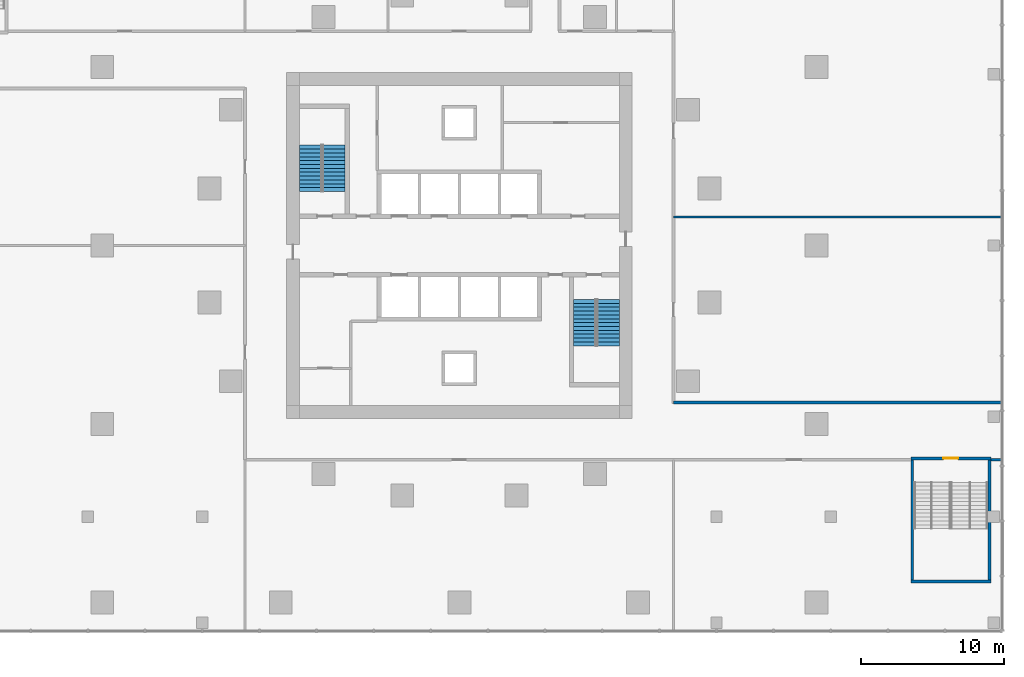
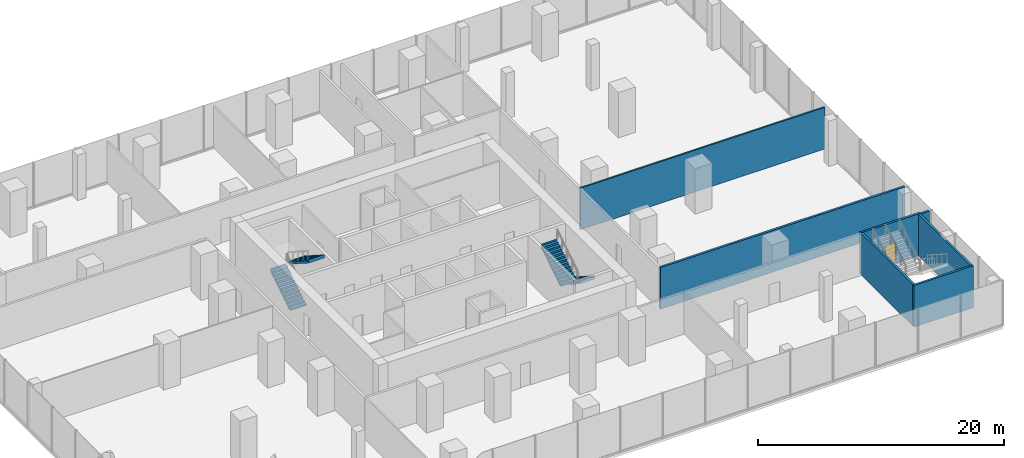
# One storey, part 12 of 15: 7 walls, 4 stair flights, 1 door, 1 opening, 2 elements without a shape of their own.
"""IFC4 building model written with IfcOpenShell, lengths in metres."""

import ifcopenshell
import ifcopenshell.guid

model = None  # the IFC model being written
_history = None  # IfcOwnerHistory: only IFC2X3 demands one
_inside = {}  # id of a spatial element -> (the spatial element, [elements in it])
_under = {}  # id of a project, library or spatial element -> (it, [spatial elements below it])
_declared = {}  # id of a project -> (the project, [libraries it declares])
_typed = {}  # id of a type object -> (the type object, [elements of that type])
_made_of = {}  # id of a material, layer set ... -> (it, [elements and type objects made of it])


def new_model(schema):
    """Start an empty IFC model of exactly this schema.

    Asked for "IFC4X3", IfcOpenShell would pick the latest addendum, in which some entities
    have other attributes; the version numbers below select the first issue.
    IFC2X3 requires an IfcOwnerHistory on every rooted entity: one is made here for all.
    """
    global model, _history
    if schema == "IFC4X3":
        model = ifcopenshell.file(schema_version=(4, 3, 0, 0))
    else:
        model = ifcopenshell.file(schema=schema)
    _inside.clear()
    _under.clear()
    _declared.clear()
    _typed.clear()
    _made_of.clear()
    _history = None
    if model.schema == "IFC2X3":
        org = make("IfcOrganization", Name="unknown")
        user = make(
            "IfcPersonAndOrganization",
            ThePerson=make("IfcPerson", FamilyName="unknown"),
            TheOrganization=org,
        )
        app = make(
            "IfcApplication",
            ApplicationDeveloper=org,
            Version="unknown",
            ApplicationFullName="unknown",
            ApplicationIdentifier="unknown",
        )
        _history = make(
            "IfcOwnerHistory",
            OwningUser=user,
            OwningApplication=app,
            ChangeAction="ADDED",
            CreationDate=0,
        )
    return model


def make(cls, **values):
    """One entity of the class cls with the attributes given. An attribute that is None is left unset."""
    return model.create_entity(
        cls, **{name: value for name, value in values.items() if value is not None}
    )


def rooted(cls, **values):
    """An entity with a GlobalId (a new one), such as an element, a storey or a relation."""
    return make(cls, GlobalId=ifcopenshell.guid.new(), OwnerHistory=_history, **values)


def si_unit(unit_type, name, prefix=None):
    """IfcSIUnit, for example si_unit("LENGTHUNIT", "METRE", prefix="MILLI")."""
    return make("IfcSIUnit", UnitType=unit_type, Prefix=prefix, Name=name)


def assignment(units):
    """IfcUnitAssignment: the units of a project."""
    return None if units is None else make("IfcUnitAssignment", Units=units)


def point(xyz):
    """IfcCartesianPoint."""
    return None if xyz is None else make("IfcCartesianPoint", Coordinates=xyz)


def direction(xyz):
    """IfcDirection."""
    return None if xyz is None else make("IfcDirection", DirectionRatios=xyz)


def frame(location, z_axis=None, x_axis=None):
    """IfcAxis2Placement3D, a coordinate frame: its origin and axes. An axis left out is left unset."""
    return make(
        "IfcAxis2Placement3D",
        Location=point(location),
        Axis=direction(z_axis),
        RefDirection=direction(x_axis),
    )


def frame_2d(location, x_axis=None):
    """IfcAxis2Placement2D, a coordinate frame in the plane: its origin and x axis."""
    return make(
        "IfcAxis2Placement2D", Location=point(location), RefDirection=direction(x_axis)
    )


def origin():
    """The frame at (0, 0, 0) with its axes left unset."""
    return frame((0.0, 0.0, 0.0))


def place(relative_to, where):
    """IfcLocalPlacement: puts the frame where relative to a parent placement (None: the world)."""
    return make(
        "IfcLocalPlacement", PlacementRelTo=relative_to, RelativePlacement=where
    )


def context(
    kind, dimensions, precision=None, world=None, true_north=None, identifier=None
):
    """IfcGeometricRepresentationContext, for example the 3D "Model" context."""
    return make(
        "IfcGeometricRepresentationContext",
        ContextIdentifier=identifier,
        ContextType=kind,
        CoordinateSpaceDimension=dimensions,
        Precision=precision,
        WorldCoordinateSystem=world,
        TrueNorth=true_north,
    )


def subcontext(parent, identifier, kind, view, scale=None):
    """IfcGeometricRepresentationSubContext, for example "Body" below "Model"."""
    return make(
        "IfcGeometricRepresentationSubContext",
        ContextIdentifier=identifier,
        ContextType=kind,
        ParentContext=parent,
        TargetScale=scale,
        TargetView=view,
    )


def project(units=None, contexts=None):
    """IfcProject with its units and contexts."""
    return rooted(
        "IfcProject",
        Name="project",
        RepresentationContexts=contexts,
        UnitsInContext=assignment(units),
    )


def spatial(cls, under=None, at=None, **own):
    """A site, building, storey or space (cls), placed at a placement, below another one or the project."""
    s = rooted(cls, ObjectPlacement=at, **own)
    if under is not None:
        _under.setdefault(under.id(), (under, []))[1].append(s)
    return s


def polyline(points):
    """IfcPolyline through the points."""
    return make("IfcPolyline", Points=[point(p) for p in points])


def profile(cls, at=None, kind="AREA", **sizes):
    """A parametric profile (cls). Its sizes go by their IFC names, for example OverallWidth=200.0."""
    return make(cls, ProfileType=kind, Position=at, **sizes)


def rectangle(**sizes):
    """IfcRectangleProfileDef."""
    return profile("IfcRectangleProfileDef", **sizes)


def outline(outer, holes=None, kind="AREA"):
    """IfcArbitraryClosedProfileDef: a profile drawn as a closed curve; with holes, ...WithVoids."""
    if holes is None:
        return make("IfcArbitraryClosedProfileDef", ProfileType=kind, OuterCurve=outer)
    return make(
        "IfcArbitraryProfileDefWithVoids",
        ProfileType=kind,
        OuterCurve=outer,
        InnerCurves=holes,
    )


def extrude(swept, where, along, depth):
    """IfcExtrudedAreaSolid: the profile swept, set in the frame where, extruded along a direction by depth."""
    return make(
        "IfcExtrudedAreaSolid",
        SweptArea=swept,
        Position=where,
        ExtrudedDirection=direction(along),
        Depth=depth,
    )


def shape(context_of_items, identifier, shape_type, items):
    """IfcShapeRepresentation: the items that make up one representation, for example the "Body"."""
    return make(
        "IfcShapeRepresentation",
        ContextOfItems=context_of_items,
        RepresentationIdentifier=identifier,
        RepresentationType=shape_type,
        Items=items,
    )


def material(Name=None, Category=None):
    """IfcMaterial."""
    return make("IfcMaterial", Name=Name, Category=Category)


def layer(
    of_material, thickness, ventilated=None, Name=None, Category=None, Priority=None
):
    """IfcMaterialLayer: one layer of a wall or slab, of a material (None: an air gap)."""
    return make(
        "IfcMaterialLayer",
        Material=of_material,
        LayerThickness=thickness,
        IsVentilated=ventilated,
        Name=Name,
        Category=Category,
        Priority=Priority,
    )


def layer_set(layers, Name=None):
    """IfcMaterialLayerSet."""
    return make("IfcMaterialLayerSet", MaterialLayers=layers, LayerSetName=Name)


def made_of(thing, what):
    """Note that an element or type object is made of a material, layer set ...; save() writes the relation."""
    if what is not None:
        _made_of.setdefault(what.id(), (what, []))[1].append(thing)
    return thing


def type_object(cls, material=None, **own):
    """A type object (cls), such as IfcWallType, which elements share."""
    return made_of(rooted(cls, **own), material)


def element(
    cls,
    number,
    at=None,
    inside=None,
    cuts=None,
    type_object=None,
    material=None,
    context=None,
    identifier="Body",
    shape_type=None,
    held_by="IfcProductDefinitionShape",
    body=None,
    shapes=None,
    **own,
):
    """One element of the class cls, such as IfcWall. Its Tag is "e" and its number.

    at: its placement. inside: the storey or other place that contains it. cuts: it is an
    opening in that element (IfcRelVoidsElement). A single representation is given by context,
    identifier, shape_type and body (its items); several are given by shapes. held_by: the class
    of the entity that holds the representations. save() writes the other relations.
    """
    e = rooted(cls, Tag="e%d" % number, ObjectPlacement=at, **own)
    if body is not None:
        shapes = [shape(context, identifier, shape_type, body)]
    if shapes is not None:
        e.Representation = make(held_by, Representations=shapes)
    if inside is not None:
        _inside.setdefault(inside.id(), (inside, []))[1].append(e)
    if cuts is not None:
        rooted(
            "IfcRelVoidsElement", RelatingBuildingElement=cuts, RelatedOpeningElement=e
        )
    if type_object is not None:
        _typed.setdefault(type_object.id(), (type_object, []))[1].append(e)
    return made_of(e, material)


def fill(opening, filler):
    """IfcRelFillsElement: the door or window that sits in an opening."""
    return rooted(
        "IfcRelFillsElement",
        RelatingOpeningElement=opening,
        RelatedBuildingElement=filler,
    )


def aggregate(whole, parts):
    """IfcRelAggregates: a whole, such as a stair, and the parts it consists of."""
    return rooted("IfcRelAggregates", RelatingObject=whole, RelatedObjects=parts)


def save(model, path):
    """Write the relations noted so far, then the file.

    IfcRelAggregates (storeys below a building ...), IfcRelContainedInSpatialStructure (elements
    in a storey), IfcRelDefinesByType, IfcRelAssociatesMaterial and IfcRelDeclares: one each for
    every whole, place, type object, material and project.
    """
    for whole, parts in _under.values():
        aggregate(whole, parts)
    for where, things in _inside.values():
        rooted(
            "IfcRelContainedInSpatialStructure",
            RelatedElements=things,
            RelatingStructure=where,
        )
    for kind, things in _typed.values():
        rooted("IfcRelDefinesByType", RelatedObjects=things, RelatingType=kind)
    for what, things in _made_of.values():
        rooted("IfcRelAssociatesMaterial", RelatedObjects=things, RelatingMaterial=what)
    for by, libraries in _declared.values():
        rooted("IfcRelDeclares", RelatingContext=by, RelatedDefinitions=libraries)
    model.write(path)


model = new_model("IFC4")

# Units and contexts
model_context = context("Model", 3, precision=1e-05, world=origin(), true_north=direction((0.0, 1.0)))
body_context = subcontext(model_context, "Body", "Model", "MODEL_VIEW")
ifc_project = project(units=[si_unit("LENGTHUNIT", "METRE"), si_unit("AREAUNIT", "SQUARE_METRE"), si_unit("VOLUMEUNIT", "CUBIC_METRE"), si_unit("PLANEANGLEUNIT", "RADIAN"), si_unit("MASSUNIT", "GRAM", prefix="KILO")], contexts=[model_context])

# Site, building, storey
site_placement = place(None, origin())
site = spatial("IfcSite", under=ifc_project, at=site_placement, CompositionType="ELEMENT")
building_placement = place(site_placement, origin())
building = spatial("IfcBuilding", under=site, at=building_placement, Name="Torsade Residences", CompositionType="ELEMENT")
storey_placement = place(building_placement, frame((0.0, 0.0, 6.0)))
storey = spatial("IfcBuildingStorey", under=building, at=storey_placement, Name="L01", CompositionType="ELEMENT", Elevation=6.0)

# Walls
ifc_material_1 = material(Name="Plasterboard on steel stud", Category="steel")
ifc_layer_1 = layer(ifc_material_1, 0.199951171875)
ifc_layer_set_1 = layer_set([ifc_layer_1], Name="Plasterboard on steel stud")
wall_type_1 = type_object("IfcWallType", Name="CORRIDOR WALL 200", PredefinedType="PARTITIONING", material=ifc_layer_set_1)
wall_1_placement = place(storey_placement, frame((78.0, 15.0, 0.0), z_axis=(0.0, 0.0, 1.0), x_axis=(-1.0, 0.0, 0.0)))
element("IfcWall", 1, at=wall_1_placement, inside=storey, type_object=wall_type_1, Name="Corridor wall L01", PredefinedType="PARTITIONING", context=body_context, shape_type="SweptSolid", body=[
    extrude(rectangle(XDim=0.800048828125, YDim=0.199951171875, at=frame_2d((0.39990234375, 0.0))), origin(), (0.0, 0.0, 1.0), 4.14990234375),
])
wall_2_placement = place(storey_placement, frame((55.0, 19.0, 0.0), z_axis=(0.0, 0.0, 1.0), x_axis=(1.0, 0.0, 0.0)))
element("IfcWall", 2, at=wall_2_placement, inside=storey, type_object=wall_type_1, Name="Corridor wall L01", PredefinedType="PARTITIONING", context=body_context, shape_type="SweptSolid", body=[
    extrude(rectangle(XDim=23.0, YDim=0.199951171875, at=frame_2d((11.5, 0.0))), origin(), (0.0, 0.0, 1.0), 4.14990234375),
])
ifc_material_2 = material(Name="Reinforced blockwork", Category="masonry")
ifc_layer_2 = layer(ifc_material_2, 0.199951171875)
ifc_layer_set_2 = layer_set([ifc_layer_2], Name="Reinforced blockwork")
wall_type_2 = type_object("IfcWallType", Name="PODIUM STAIR ENCLOSURE WALL 200", PredefinedType="SOLIDWALL", material=ifc_layer_set_2)
wall_3_placement = place(storey_placement, frame((71.60009765625, 6.47998046875, 0.0), z_axis=(0.0, 0.0, 1.0), x_axis=(1.0, 0.0, 0.0)))
element("IfcWall", 3, at=wall_3_placement, inside=storey, type_object=wall_type_2, Name="Stair enclosure wall L01", PredefinedType="SOLIDWALL", context=body_context, shape_type="SweptSolid", body=[
    extrude(rectangle(XDim=5.599853515625, YDim=0.199951171875, at=frame_2d((2.7998046875, 0.0))), origin(), (0.0, 0.0, 1.0), 4.14990234375),
])
wall_4_placement = place(storey_placement, frame((77.10009765625, 6.580078125, 0.0), z_axis=(0.0, 0.0, 1.0), x_axis=(0.0, 1.0, 0.0)))
element("IfcWall", 4, at=wall_4_placement, inside=storey, type_object=wall_type_2, Name="Stair enclosure wall L01", PredefinedType="SOLIDWALL", context=body_context, shape_type="SweptSolid", body=[
    extrude(rectangle(XDim=8.419921875, YDim=0.199951171875, at=frame_2d((4.2099609375, 0.0))), origin(), (0.0, 0.0, 1.0), 4.14990234375),
])

# Wall, opening, door
wall_5_placement = place(storey_placement, frame((77.199951171875, 15.10009765625, 0.0), z_axis=(0.0, 0.0, 1.0), x_axis=(-1.0, 0.0, 0.0)))
wall_5 = element("IfcWall", 5, at=wall_5_placement, inside=storey, type_object=wall_type_2, Name="Stair enclosure wall L01", PredefinedType="SOLIDWALL", context=body_context, shape_type="SweptSolid", body=[
    extrude(rectangle(XDim=5.599853515625, YDim=0.199951171875, at=frame_2d((2.7998046875, 0.0))), origin(), (0.0, 0.0, 1.0), 4.14990234375),
])
opening_placement = place(wall_5_placement, frame((2.2900390625, 0.0, 0.0)))
opening = element("IfcOpeningElement", 6, at=opening_placement, cuts=wall_5, Name="Opening D03", PredefinedType="OPENING", context=body_context, shape_type="SweptSolid", body=[
    extrude(rectangle(XDim=1.02001953125, YDim=2.10009765625, at=frame_2d((0.510009765625, 1.050048828125))), frame((0.0, 0.10986328125, 0.0), z_axis=(0.0, -1.0, 0.0), x_axis=(1.0, 0.0, 0.0)), (0.0, 0.0, 1.0), 0.219970703125),
])
ifc_material_3 = material(Name="Steel-framed fire door", Category="steel")
door_type = type_object("IfcDoorType", Name="FIRE DOOR 1020", OperationType="NOTDEFINED", PredefinedType="DOOR", material=ifc_material_3)
door_placement = place(opening_placement, origin())
door = element("IfcDoor", 7, at=door_placement, inside=storey, type_object=door_type, Name="Exit door to fire-isolated stair ST4 L01", OperationType="SINGLE_SWING_LEFT", OverallHeight=2.10009765625, OverallWidth=1.02001953125, PredefinedType="DOOR", context=body_context, shape_type="SweptSolid", body=[
    extrude(rectangle(XDim=1.02001953125, YDim=2.10009765625, at=frame_2d((0.510009765625, 1.050048828125))), frame((0.0, 0.02490234375, 0.0), z_axis=(0.0, -1.0, 0.0), x_axis=(1.0, 0.0, 0.0)), (0.0, 0.0, 1.0), 0.050048828125),
])
fill(opening, door)

# Walls
wall_6_placement = place(storey_placement, frame((71.699951171875, 15.0, 0.0), z_axis=(0.0, 0.0, 1.0), x_axis=(0.0, -1.0, 0.0)))
element("IfcWall", 8, at=wall_6_placement, inside=storey, type_object=wall_type_2, Name="Stair enclosure wall L01", PredefinedType="SOLIDWALL", context=body_context, shape_type="SweptSolid", body=[
    extrude(rectangle(XDim=8.419921875, YDim=0.199951171875, at=frame_2d((4.2099609375, 0.0))), origin(), (0.0, 0.0, 1.0), 4.14990234375),
])
ifc_material_4 = material(Name="Reinforced blockwork", Category="masonry")
ifc_layer_3 = layer(ifc_material_4, 0.14990234375)
ifc_layer_set_3 = layer_set([ifc_layer_3], Name="Reinforced blockwork")
wall_type_3 = type_object("IfcWallType", Name="SERVICE ROOM WALL 150", PredefinedType="SOLIDWALL", material=ifc_layer_set_3)
wall_7_placement = place(storey_placement, frame((55.0, 32.0, 0.0), z_axis=(0.0, 0.0, 1.0), x_axis=(1.0, 0.0, 0.0)))
element("IfcWall", 9, at=wall_7_placement, inside=storey, type_object=wall_type_3, Name="Service room wall L01", PredefinedType="SOLIDWALL", context=body_context, shape_type="SweptSolid", body=[
    extrude(rectangle(XDim=23.0, YDim=0.14990234375, at=frame_2d((11.5, 0.0))), origin(), (0.0, 0.0, 1.0), 4.14990234375),
])

# Stair, stair flights
ifc_material_5 = material(Name="Precast concrete 40 MPa", Category="concrete")
stair_type = type_object("IfcStairType", Name="HALF-TURN FIRE STAIR 1500x4500", PredefinedType="HALF_TURN_STAIR", material=ifc_material_5)
stair_1_placement = place(storey_placement, origin())
stair_1 = element("IfcStair", 10, at=stair_1_placement, inside=storey, type_object=stair_type, Name="Stair ST1 L01", PredefinedType="HALF_TURN_STAIR")
ifc_material_6 = material(Name="Precast concrete 40 MPa", Category="concrete")
stair_flight_type = type_object("IfcStairFlightType", Name="PRECAST STAIR FLIGHT 1500x2250", PredefinedType="STRAIGHT", material=ifc_material_6)
stair_flight_1_placement = place(storey_placement, frame((29.550048828125, 33.780029296875, 0.0), z_axis=(0.0, 0.0, 1.0), x_axis=(0.0, 1.0, 0.0)))
stair_flight_1 = element("IfcStairFlight", 11, at=stair_flight_1_placement, type_object=stair_flight_type, Name="ST1 flight 1", NumberOfRisers=13, NumberOfTreads=12, PredefinedType="STRAIGHT", RiserHeight=0.173076923, TreadLength=0.27, context=body_context, shape_type="SweptSolid", body=[
    extrude(outline(polyline([(0.0, 0.0), (0.0, 0.173095703125), (0.27001953125, 0.173095703125), (0.27001953125, 0.34619140625), (0.5400390625, 0.34619140625), (0.5400390625, 0.519287109375), (0.81005859375, 0.519287109375), (0.81005859375, 0.6923828125), (1.080078125, 0.6923828125), (1.080078125, 0.865478515625), (1.35009765625, 0.865478515625), (1.35009765625, 1.03857421875), (1.6201171875, 1.03857421875), (1.6201171875, 1.21142578125), (1.889892578125, 1.21142578125), (1.889892578125, 1.384521484375), (2.159912109375, 1.384521484375), (2.159912109375, 1.5576171875), (2.429931640625, 1.5576171875), (2.429931640625, 1.730712890625), (2.699951171875, 1.730712890625), (2.699951171875, 1.90380859375), (2.969970703125, 1.90380859375), (2.969970703125, 2.076904296875), (3.239990234375, 2.076904296875), (3.239990234375, 2.25), (3.25, 2.25), (3.25, 1.89892578125), (3.239990234375, 1.89892578125), (0.27783203125, 0.0), (0.0, 0.0)])), frame((0.0, 0.75, 0.0), z_axis=(0.0, -1.0, 0.0), x_axis=(1.0, 0.0, 0.0)), (0.0, 0.0, 1.0), 1.5),
])
stair_flight_2_placement = place(storey_placement, frame((31.25, 37.02001953125, 2.25), z_axis=(0.0, 0.0, 1.0), x_axis=(0.0, -1.0, 0.0)))
stair_flight_2 = element("IfcStairFlight", 12, at=stair_flight_2_placement, type_object=stair_flight_type, Name="ST1 flight 2", NumberOfRisers=13, NumberOfTreads=12, PredefinedType="STRAIGHT", RiserHeight=0.173076923, TreadLength=0.27, context=body_context, shape_type="SweptSolid", body=[
    extrude(outline(polyline([(0.0, 0.0), (0.0, 0.173095703125), (0.27001953125, 0.173095703125), (0.27001953125, 0.34619140625), (0.5400390625, 0.34619140625), (0.5400390625, 0.519287109375), (0.81005859375, 0.519287109375), (0.81005859375, 0.6923828125), (1.080078125, 0.6923828125), (1.080078125, 0.865478515625), (1.35009765625, 0.865478515625), (1.35009765625, 1.03857421875), (1.6201171875, 1.03857421875), (1.6201171875, 1.21142578125), (1.889892578125, 1.21142578125), (1.889892578125, 1.384521484375), (2.159912109375, 1.384521484375), (2.159912109375, 1.5576171875), (2.429931640625, 1.5576171875), (2.429931640625, 1.730712890625), (2.699951171875, 1.730712890625), (2.699951171875, 1.90380859375), (2.969970703125, 1.90380859375), (2.969970703125, 2.076904296875), (3.239990234375, 2.076904296875), (3.239990234375, 2.25), (3.25, 2.25), (3.25, 1.89892578125), (3.239990234375, 1.89892578125), (0.27783203125, 0.0), (0.0, 0.0)])), frame((0.0, 0.75, 0.0), z_axis=(0.0, -1.0, 0.0), x_axis=(1.0, 0.0, 0.0)), (0.0, 0.0, 1.0), 1.5),
])
aggregate(stair_1, [stair_flight_1, stair_flight_2])

stair_2_placement = place(storey_placement, origin())
stair_2 = element("IfcStair", 13, at=stair_2_placement, inside=storey, type_object=stair_type, Name="Stair ST2 L01", PredefinedType="HALF_TURN_STAIR")
stair_flight_3_placement = place(storey_placement, frame((50.449951171875, 26.219970703125, 0.0), z_axis=(0.0, 0.0, 1.0), x_axis=(0.0, -1.0, 0.0)))
stair_flight_3 = element("IfcStairFlight", 14, at=stair_flight_3_placement, type_object=stair_flight_type, Name="ST2 flight 1", NumberOfRisers=13, NumberOfTreads=12, PredefinedType="STRAIGHT", RiserHeight=0.173076923, TreadLength=0.27, context=body_context, shape_type="SweptSolid", body=[
    extrude(outline(polyline([(0.0, 0.0), (0.0, 0.173095703125), (0.27001953125, 0.173095703125), (0.27001953125, 0.34619140625), (0.5400390625, 0.34619140625), (0.5400390625, 0.519287109375), (0.81005859375, 0.519287109375), (0.81005859375, 0.6923828125), (1.080078125, 0.6923828125), (1.080078125, 0.865478515625), (1.35009765625, 0.865478515625), (1.35009765625, 1.03857421875), (1.6201171875, 1.03857421875), (1.6201171875, 1.21142578125), (1.889892578125, 1.21142578125), (1.889892578125, 1.384521484375), (2.159912109375, 1.384521484375), (2.159912109375, 1.5576171875), (2.429931640625, 1.5576171875), (2.429931640625, 1.730712890625), (2.699951171875, 1.730712890625), (2.699951171875, 1.90380859375), (2.969970703125, 1.90380859375), (2.969970703125, 2.076904296875), (3.239990234375, 2.076904296875), (3.239990234375, 2.25), (3.25, 2.25), (3.25, 1.89892578125), (3.239990234375, 1.89892578125), (0.27783203125, 0.0), (0.0, 0.0)])), frame((0.0, 0.75, 0.0), z_axis=(0.0, -1.0, 0.0), x_axis=(1.0, 0.0, 0.0)), (0.0, 0.0, 1.0), 1.5),
])
stair_flight_4_placement = place(storey_placement, frame((48.75, 22.97998046875, 2.25), z_axis=(0.0, 0.0, 1.0), x_axis=(0.0, 1.0, 0.0)))
stair_flight_4 = element("IfcStairFlight", 15, at=stair_flight_4_placement, type_object=stair_flight_type, Name="ST2 flight 2", NumberOfRisers=13, NumberOfTreads=12, PredefinedType="STRAIGHT", RiserHeight=0.173076923, TreadLength=0.27, context=body_context, shape_type="SweptSolid", body=[
    extrude(outline(polyline([(0.0, 0.0), (0.0, 0.173095703125), (0.27001953125, 0.173095703125), (0.27001953125, 0.34619140625), (0.5400390625, 0.34619140625), (0.5400390625, 0.519287109375), (0.81005859375, 0.519287109375), (0.81005859375, 0.6923828125), (1.080078125, 0.6923828125), (1.080078125, 0.865478515625), (1.35009765625, 0.865478515625), (1.35009765625, 1.03857421875), (1.6201171875, 1.03857421875), (1.6201171875, 1.21142578125), (1.889892578125, 1.21142578125), (1.889892578125, 1.384521484375), (2.159912109375, 1.384521484375), (2.159912109375, 1.5576171875), (2.429931640625, 1.5576171875), (2.429931640625, 1.730712890625), (2.699951171875, 1.730712890625), (2.699951171875, 1.90380859375), (2.969970703125, 1.90380859375), (2.969970703125, 2.076904296875), (3.239990234375, 2.076904296875), (3.239990234375, 2.25), (3.25, 2.25), (3.25, 1.89892578125), (3.239990234375, 1.89892578125), (0.27783203125, 0.0), (0.0, 0.0)])), frame((0.0, 0.75, 0.0), z_axis=(0.0, -1.0, 0.0), x_axis=(1.0, 0.0, 0.0)), (0.0, 0.0, 1.0), 1.5),
])
aggregate(stair_2, [stair_flight_3, stair_flight_4])

save(model, "model.ifc")
